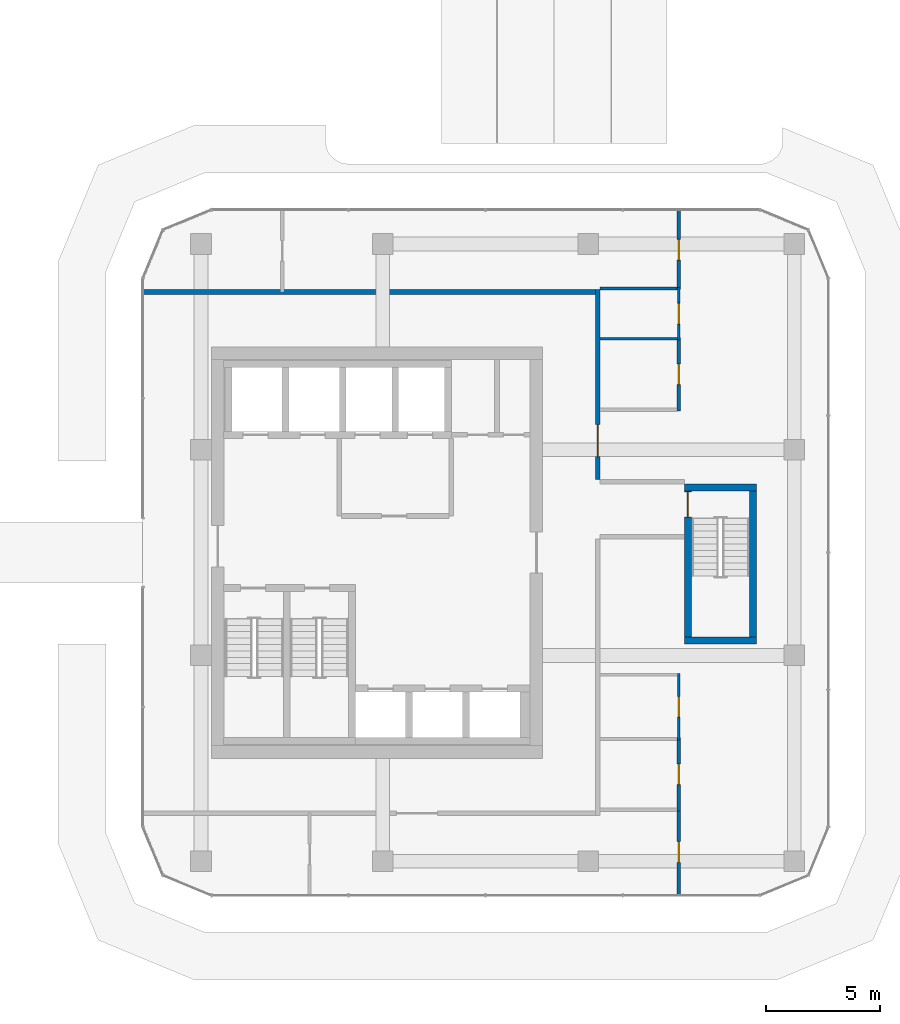
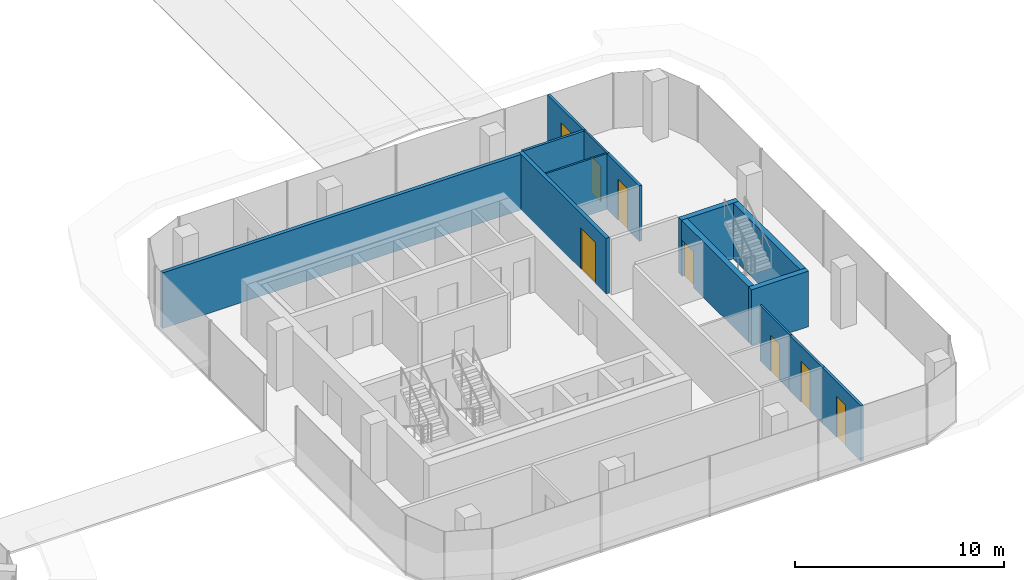
# One storey, part 19 of 24: 14 walls, 8 doors, 8 openings.
"""IFC4 building model written with IfcOpenShell, lengths in metres."""

from ifc_helpers import new_model, si_unit, direction, frame, frame_2d, origin, place, context, subcontext, project, spatial, rectangle, extrude, material, layer, layer_set, type_object, element, fill, save


model = new_model("IFC4")

# Units and contexts
model_context = context("Model", 3, precision=1e-05, world=origin(), true_north=direction((0.0, 1.0)))
body_context = subcontext(model_context, "Body", "Model", "MODEL_VIEW")
ifc_project = project(units=[si_unit("LENGTHUNIT", "METRE"), si_unit("AREAUNIT", "SQUARE_METRE"), si_unit("VOLUMEUNIT", "CUBIC_METRE"), si_unit("PLANEANGLEUNIT", "RADIAN"), si_unit("MASSUNIT", "GRAM", prefix="KILO")], contexts=[model_context])

# Site, building, storey
site_placement = place(None, origin())
site = spatial("IfcSite", under=ifc_project, at=site_placement, CompositionType="ELEMENT")
building_placement = place(site_placement, origin())
building = spatial("IfcBuilding", under=site, at=building_placement, Name="Plateau Cross Towers", CompositionType="ELEMENT")
storey_placement = place(building_placement, frame((0.0, 0.0, 30.300048828125)))
storey = spatial("IfcBuildingStorey", under=building, at=storey_placement, Name="L06", CompositionType="ELEMENT", Elevation=30.300048828125)

# Wall, opening, door
ifc_material_1 = material(Name="Concrete C60/75", Category="concrete")
ifc_layer_1 = layer(ifc_material_1, 0.300048828125)
ifc_layer_set_1 = layer_set([ifc_layer_1], Name="Concrete C60/75")
wall_type_1 = type_object("IfcWallType", Name="Core shaft wall 300", PredefinedType="SHEAR", material=ifc_layer_set_1)
wall_1_placement = place(storey_placement, frame((95.85009765625, 5.300048828125, 0.0), z_axis=(0.0, 0.0, 1.0), x_axis=(0.0, 1.0, 0.0)))
wall_1 = element("IfcWall", 1, at=wall_1_placement, inside=storey, type_object=wall_type_1, Name="B-sb3-W@L06", PredefinedType="SHEAR", context=body_context, shape_type="SweptSolid", body=[
    extrude(rectangle(XDim=6.39990234375, YDim=0.300048828125, at=frame_2d((3.199951171875, 0.0))), origin(), (0.0, 0.0, 1.0), 3.25),
])
opening_1_placement = place(wall_1_placement, frame((5.25, 0.0, 0.0)))
opening_1 = element("IfcOpeningElement", 2, at=opening_1_placement, cuts=wall_1, Name="Opening SD", PredefinedType="OPENING", context=body_context, shape_type="SweptSolid", body=[
    extrude(rectangle(XDim=1.10009765625, YDim=2.10009765625, at=frame_2d((0.550048828125, 1.050048828125))), frame((0.0, 0.159912109375, 0.0), z_axis=(0.0, -1.0, 0.0), x_axis=(1.0, 0.0, 0.0)), (0.0, 0.0, 1.0), 0.320068359375),
])
ifc_material_2 = material(Name="Steel, fire-resisting leaf", Category="steel")
door_type_1 = type_object("IfcDoorType", Name="Stair door 1100", OperationType="NOTDEFINED", PredefinedType="DOOR", material=ifc_material_2)
door_1_placement = place(opening_1_placement, origin())
door_1 = element("IfcDoor", 3, at=door_1_placement, inside=storey, type_object=door_type_1, Name="Stair door SD", OperationType="SINGLE_SWING_LEFT", OverallHeight=2.10009765625, OverallWidth=1.10009765625, PredefinedType="DOOR", context=body_context, shape_type="SweptSolid", body=[
    extrude(rectangle(XDim=1.10009765625, YDim=2.10009765625, at=frame_2d((0.550048828125, 1.050048828125))), frame((0.0, 0.02490234375, 0.0), z_axis=(0.0, -1.0, 0.0), x_axis=(1.0, 0.0, 0.0)), (0.0, 0.0, 1.0), 0.050048828125),
])
fill(opening_1, door_1)

# Walls
wall_2_placement = place(storey_placement, frame((98.699951171875, 5.300048828125, 0.0), z_axis=(0.0, 0.0, 1.0), x_axis=(0.0, 1.0, 0.0)))
element("IfcWall", 4, at=wall_2_placement, inside=storey, type_object=wall_type_1, Name="B-sb3-E@L06", PredefinedType="SHEAR", context=body_context, shape_type="SweptSolid", body=[
    extrude(rectangle(XDim=6.39990234375, YDim=0.300048828125, at=frame_2d((3.199951171875, 0.0))), origin(), (0.0, 0.0, 1.0), 3.25),
])
for number, where, z_axis, x_axis, name in (
    (5, (95.699951171875, 5.14990234375, 0.0), (0.0, 0.0, 1.0), (1.0, 0.0, 0.0), "B-sb3-S@L06"),
    (6, (95.699951171875, 11.85009765625, 0.0), (0.0, 0.0, 1.0), (1.0, 0.0, 0.0), "B-sb3-N@L06"),
):
    element("IfcWall", number, at=place(storey_placement, frame(where, z_axis=z_axis, x_axis=x_axis)), inside=storey, type_object=wall_type_1, Name=name, PredefinedType="SHEAR", context=body_context, shape_type="SweptSolid", body=[
        extrude(rectangle(XDim=3.150146484375, YDim=0.300048828125, at=frame_2d((1.5751953125, 0.0))), origin(), (0.0, 0.0, 1.0), 3.25),
    ])
ifc_material_3 = material(Name="Gypsum board on steel studs, two layers each side", Category="steel")
ifc_layer_2 = layer(ifc_material_3, 0.199951171875)
ifc_layer_set_2 = layer_set([ifc_layer_2], Name="Gypsum board on steel studs, two layers each side")
wall_type_2 = type_object("IfcWallType", Name="Corridor wall 200", PredefinedType="PARTITIONING", material=ifc_layer_set_2)
wall_3_placement = place(storey_placement, frame((72.0, 20.39990234375, 0.0), z_axis=(0.0, 0.0, 1.0), x_axis=(1.0, 0.0, 0.0)))
element("IfcWall", 7, at=wall_3_placement, inside=storey, type_object=wall_type_2, Name="Ring wall", PredefinedType="PARTITIONING", context=body_context, shape_type="SweptSolid", body=[
    extrude(rectangle(XDim=20.0, YDim=0.199951171875, at=frame_2d((10.0, 0.0))), origin(), (0.0, 0.0, 1.0), 3.25),
])

# Wall, opening, door
wall_4_placement = place(storey_placement, frame((91.89990234375, 12.199951171875, 0.0), z_axis=(0.0, 0.0, 1.0), x_axis=(0.0, 1.0, 0.0)))
wall_4 = element("IfcWall", 8, at=wall_4_placement, inside=storey, type_object=wall_type_2, Name="Ring wall", PredefinedType="PARTITIONING", context=body_context, shape_type="SweptSolid", body=[
    extrude(rectangle(XDim=8.300048828125, YDim=0.199951171875, at=frame_2d((4.14990234375, 0.0))), origin(), (0.0, 0.0, 1.0), 3.25),
])
opening_2_placement = place(wall_4_placement, frame((1.0, 0.0, 0.0)))
opening_2 = element("IfcOpeningElement", 9, at=opening_2_placement, cuts=wall_4, Name="Opening D-BE14", PredefinedType="OPENING", context=body_context, shape_type="SweptSolid", body=[
    extrude(rectangle(XDim=1.39990234375, YDim=2.39990234375, at=frame_2d((0.699951171875, 1.199951171875))), frame((0.0, 0.10986328125, 0.0), z_axis=(0.0, -1.0, 0.0), x_axis=(1.0, 0.0, 0.0)), (0.0, 0.0, 1.0), 0.219970703125),
])
ifc_material_4 = material(Name="Timber, fire-resisting leaves", Category="wood")
door_type_2 = type_object("IfcDoorType", Name="Tenant entrance double-leaf 1400x2400", OperationType="NOTDEFINED", PredefinedType="DOOR", material=ifc_material_4)
door_2_placement = place(opening_2_placement, origin())
door_2 = element("IfcDoor", 10, at=door_2_placement, inside=storey, type_object=door_type_2, Name="Door D-BE14", OperationType="DOUBLE_DOOR_SINGLE_SWING", OverallHeight=2.39990234375, OverallWidth=1.39990234375, PredefinedType="DOOR", context=body_context, shape_type="SweptSolid", body=[
    extrude(rectangle(XDim=1.39990234375, YDim=2.39990234375, at=frame_2d((0.699951171875, 1.199951171875))), frame((0.0, 0.02490234375, 0.0), z_axis=(0.0, -1.0, 0.0), x_axis=(1.0, 0.0, 0.0)), (0.0, 0.0, 1.0), 0.050048828125),
])
fill(opening_2, door_2)

ifc_material_5 = material(Name="Gypsum board on staggered steel studs, mineral wool, two layers each side", Category="steel")
ifc_layer_3 = layer(ifc_material_5, 0.139892578125)
ifc_layer_set_3 = layer_set([ifc_layer_3], Name="Gypsum board on staggered steel studs, mineral wool, two layers each side")
wall_type_3 = type_object("IfcWallType", Name="Meeting room acoustic partition 140", PredefinedType="PARTITIONING", material=ifc_layer_set_3)
wall_5_placement = place(storey_placement, frame((95.449951171875, -6.0, 0.0), z_axis=(0.0, 0.0, 1.0), x_axis=(0.0, 1.0, 0.0)))
wall_5 = element("IfcWall", 11, at=wall_5_placement, inside=storey, type_object=wall_type_3, Name="Acoustic wall", PredefinedType="PARTITIONING", context=body_context, shape_type="SweptSolid", body=[
    extrude(rectangle(XDim=3.800048828125, YDim=0.139892578125, at=frame_2d((1.89990234375, 0.0))), origin(), (0.0, 0.0, 1.0), 3.25),
])
opening_3_placement = place(wall_5_placement, frame((1.449951171875, 0.0, 0.0)))
opening_3 = element("IfcOpeningElement", 12, at=opening_3_placement, cuts=wall_5, Name="Opening D-BM9", PredefinedType="OPENING", context=body_context, shape_type="SweptSolid", body=[
    extrude(rectangle(XDim=0.89990234375, YDim=2.39990234375, at=frame_2d((0.449951171875, 1.199951171875))), frame((0.0, 0.079833984375, 0.0), z_axis=(0.0, -1.0, 0.0), x_axis=(1.0, 0.0, 0.0)), (0.0, 0.0, 1.0), 0.159912109375),
])
ifc_material_6 = material(Name="Timber leaf, full height", Category="wood")
door_type_3 = type_object("IfcDoorType", Name="Meeting room door 900x2400", OperationType="NOTDEFINED", PredefinedType="DOOR", material=ifc_material_6)
door_3_placement = place(opening_3_placement, origin())
door_3 = element("IfcDoor", 13, at=door_3_placement, inside=storey, type_object=door_type_3, Name="Door D-BM9", OperationType="SINGLE_SWING_LEFT", OverallHeight=2.39990234375, OverallWidth=0.89990234375, PredefinedType="DOOR", context=body_context, shape_type="SweptSolid", body=[
    extrude(rectangle(XDim=0.89990234375, YDim=2.39990234375, at=frame_2d((0.449951171875, 1.199951171875))), frame((0.0, 0.02490234375, 0.0), z_axis=(0.0, -1.0, 0.0), x_axis=(1.0, 0.0, 0.0)), (0.0, 0.0, 1.0), 0.050048828125),
])
fill(opening_3, door_3)

wall_6_placement = place(storey_placement, frame((95.449951171875, -2.300048828125, 0.0), z_axis=(0.0, 0.0, 1.0), x_axis=(0.0, 1.0, 0.0)))
wall_6 = element("IfcWall", 14, at=wall_6_placement, inside=storey, type_object=wall_type_3, Name="Acoustic wall", PredefinedType="PARTITIONING", context=body_context, shape_type="SweptSolid", body=[
    extrude(rectangle(XDim=3.199951171875, YDim=0.139892578125, at=frame_2d((1.60009765625, 0.0))), origin(), (0.0, 0.0, 1.0), 3.25),
])
opening_4_placement = place(wall_6_placement, frame((1.14990234375, 0.0, 0.0)))
opening_4 = element("IfcOpeningElement", 15, at=opening_4_placement, cuts=wall_6, Name="Opening D-BM9", PredefinedType="OPENING", context=body_context, shape_type="SweptSolid", body=[
    extrude(rectangle(XDim=0.89990234375, YDim=2.39990234375, at=frame_2d((0.449951171875, 1.199951171875))), frame((0.0, 0.079833984375, 0.0), z_axis=(0.0, -1.0, 0.0), x_axis=(1.0, 0.0, 0.0)), (0.0, 0.0, 1.0), 0.159912109375),
])
door_4_placement = place(opening_4_placement, origin())
door_4 = element("IfcDoor", 16, at=door_4_placement, inside=storey, type_object=door_type_3, Name="Door D-BM9", OperationType="SINGLE_SWING_LEFT", OverallHeight=2.39990234375, OverallWidth=0.89990234375, PredefinedType="DOOR", context=body_context, shape_type="SweptSolid", body=[
    extrude(rectangle(XDim=0.89990234375, YDim=2.39990234375, at=frame_2d((0.449951171875, 1.199951171875))), frame((0.0, 0.02490234375, 0.0), z_axis=(0.0, -1.0, 0.0), x_axis=(1.0, 0.0, 0.0)), (0.0, 0.0, 1.0), 0.050048828125),
])
fill(opening_4, door_4)

wall_7_placement = place(storey_placement, frame((95.449951171875, 20.5, 0.0), z_axis=(0.0, 0.0, 1.0), x_axis=(0.0, 1.0, 0.0)))
wall_7 = element("IfcWall", 17, at=wall_7_placement, inside=storey, type_object=wall_type_3, Name="Acoustic wall", PredefinedType="PARTITIONING", context=body_context, shape_type="SweptSolid", body=[
    extrude(rectangle(XDim=3.5, YDim=0.139892578125, at=frame_2d((1.75, 0.0))), origin(), (0.0, 0.0, 1.0), 3.25),
])
opening_5_placement = place(wall_7_placement, frame((1.300048828125, 0.0, 0.0)))
opening_5 = element("IfcOpeningElement", 18, at=opening_5_placement, cuts=wall_7, Name="Opening D-BM9", PredefinedType="OPENING", context=body_context, shape_type="SweptSolid", body=[
    extrude(rectangle(XDim=0.89990234375, YDim=2.39990234375, at=frame_2d((0.449951171875, 1.199951171875))), frame((0.0, 0.079833984375, 0.0), z_axis=(0.0, -1.0, 0.0), x_axis=(1.0, 0.0, 0.0)), (0.0, 0.0, 1.0), 0.159912109375),
])
door_5_placement = place(opening_5_placement, origin())
door_5 = element("IfcDoor", 19, at=door_5_placement, inside=storey, type_object=door_type_3, Name="Door D-BM9", OperationType="SINGLE_SWING_LEFT", OverallHeight=2.39990234375, OverallWidth=0.89990234375, PredefinedType="DOOR", context=body_context, shape_type="SweptSolid", body=[
    extrude(rectangle(XDim=0.89990234375, YDim=2.39990234375, at=frame_2d((0.449951171875, 1.199951171875))), frame((0.0, 0.02490234375, 0.0), z_axis=(0.0, -1.0, 0.0), x_axis=(1.0, 0.0, 0.0)), (0.0, 0.0, 1.0), 0.050048828125),
])
fill(opening_5, door_5)

# Wall
wall_8_placement = place(storey_placement, frame((92.0, 20.550048828125, 0.0), z_axis=(0.0, 0.0, 1.0), x_axis=(1.0, 0.0, 0.0)))
element("IfcWall", 20, at=wall_8_placement, inside=storey, type_object=wall_type_3, Name="Acoustic wall", PredefinedType="PARTITIONING", context=body_context, shape_type="SweptSolid", body=[
    extrude(rectangle(XDim=3.3798828125, YDim=0.139892578125, at=frame_2d((1.68994140625, 0.0))), origin(), (0.0, 0.0, 1.0), 3.25),
])

# Wall, opening, door
wall_9_placement = place(storey_placement, frame((95.449951171875, 15.199951171875, 0.0), z_axis=(0.0, 0.0, 1.0), x_axis=(0.0, 1.0, 0.0)))
wall_9 = element("IfcWall", 21, at=wall_9_placement, inside=storey, type_object=wall_type_3, Name="Acoustic wall", PredefinedType="PARTITIONING", context=body_context, shape_type="SweptSolid", body=[
    extrude(rectangle(XDim=3.199951171875, YDim=0.139892578125, at=frame_2d((1.60009765625, 0.0))), origin(), (0.0, 0.0, 1.0), 3.25),
])
opening_6_placement = place(wall_9_placement, frame((1.14990234375, 0.0, 0.0)))
opening_6 = element("IfcOpeningElement", 22, at=opening_6_placement, cuts=wall_9, Name="Opening D-BM9", PredefinedType="OPENING", context=body_context, shape_type="SweptSolid", body=[
    extrude(rectangle(XDim=0.89990234375, YDim=2.39990234375, at=frame_2d((0.449951171875, 1.199951171875))), frame((0.0, 0.079833984375, 0.0), z_axis=(0.0, -1.0, 0.0), x_axis=(1.0, 0.0, 0.0)), (0.0, 0.0, 1.0), 0.159912109375),
])
door_6_placement = place(opening_6_placement, origin())
door_6 = element("IfcDoor", 23, at=door_6_placement, inside=storey, type_object=door_type_3, Name="Door D-BM9", OperationType="SINGLE_SWING_LEFT", OverallHeight=2.39990234375, OverallWidth=0.89990234375, PredefinedType="DOOR", context=body_context, shape_type="SweptSolid", body=[
    extrude(rectangle(XDim=0.89990234375, YDim=2.39990234375, at=frame_2d((0.449951171875, 1.199951171875))), frame((0.0, 0.02490234375, 0.0), z_axis=(0.0, -1.0, 0.0), x_axis=(1.0, 0.0, 0.0)), (0.0, 0.0, 1.0), 0.050048828125),
])
fill(opening_6, door_6)

ifc_material_7 = material(Name="Gypsum board on steel studs", Category="steel")
ifc_layer_4 = layer(ifc_material_7, 0.10009765625)
ifc_layer_set_4 = layer_set([ifc_layer_4], Name="Gypsum board on steel studs")
wall_type_4 = type_object("IfcWallType", Name="Office partition 100", PredefinedType="PARTITIONING", material=ifc_layer_set_4)
wall_10_placement = place(storey_placement, frame((95.449951171875, 0.800048828125, 0.0), z_axis=(0.0, 0.0, 1.0), x_axis=(0.0, 1.0, 0.0)))
wall_10 = element("IfcWall", 24, at=wall_10_placement, inside=storey, type_object=wall_type_4, Name="Part wall", PredefinedType="PARTITIONING", context=body_context, shape_type="SweptSolid", body=[
    extrude(rectangle(XDim=2.89990234375, YDim=0.10009765625, at=frame_2d((1.449951171875, 0.0))), origin(), (0.0, 0.0, 1.0), 3.25),
])
opening_7_placement = place(wall_10_placement, frame((1.0, 0.0, 0.0)))
opening_7 = element("IfcOpeningElement", 25, at=opening_7_placement, cuts=wall_10, Name="Opening D-BR9", PredefinedType="OPENING", context=body_context, shape_type="SweptSolid", body=[
    extrude(rectangle(XDim=0.89990234375, YDim=2.10009765625, at=frame_2d((0.449951171875, 1.050048828125))), frame((0.0, 0.06005859375, 0.0), z_axis=(0.0, -1.0, 0.0), x_axis=(1.0, 0.0, 0.0)), (0.0, 0.0, 1.0), 0.1201171875),
])
ifc_material_8 = material(Name="Timber leaf", Category="wood")
door_type_4 = type_object("IfcDoorType", Name="Office room door 900", OperationType="NOTDEFINED", PredefinedType="DOOR", material=ifc_material_8)
door_7_placement = place(opening_7_placement, origin())
door_7 = element("IfcDoor", 26, at=door_7_placement, inside=storey, type_object=door_type_4, Name="Door D-BR9", OperationType="SINGLE_SWING_LEFT", OverallHeight=2.10009765625, OverallWidth=0.89990234375, PredefinedType="DOOR", context=body_context, shape_type="SweptSolid", body=[
    extrude(rectangle(XDim=0.89990234375, YDim=2.10009765625, at=frame_2d((0.449951171875, 1.050048828125))), frame((0.0, 0.02490234375, 0.0), z_axis=(0.0, -1.0, 0.0), x_axis=(1.0, 0.0, 0.0)), (0.0, 0.0, 1.0), 0.050048828125),
])
fill(opening_7, door_7)

wall_11_placement = place(storey_placement, frame((95.449951171875, 18.300048828125, 0.0), z_axis=(0.0, 0.0, 1.0), x_axis=(0.0, 1.0, 0.0)))
wall_11 = element("IfcWall", 27, at=wall_11_placement, inside=storey, type_object=wall_type_4, Name="Part wall", PredefinedType="PARTITIONING", context=body_context, shape_type="SweptSolid", body=[
    extrude(rectangle(XDim=2.300048828125, YDim=0.10009765625, at=frame_2d((1.14990234375, 0.0))), origin(), (0.0, 0.0, 1.0), 3.25),
])
opening_8_placement = place(wall_11_placement, frame((0.699951171875, 0.0, 0.0)))
opening_8 = element("IfcOpeningElement", 28, at=opening_8_placement, cuts=wall_11, Name="Opening D-BR9", PredefinedType="OPENING", context=body_context, shape_type="SweptSolid", body=[
    extrude(rectangle(XDim=0.89990234375, YDim=2.10009765625, at=frame_2d((0.449951171875, 1.050048828125))), frame((0.0, 0.06005859375, 0.0), z_axis=(0.0, -1.0, 0.0), x_axis=(1.0, 0.0, 0.0)), (0.0, 0.0, 1.0), 0.1201171875),
])
door_8_placement = place(opening_8_placement, origin())
door_8 = element("IfcDoor", 29, at=door_8_placement, inside=storey, type_object=door_type_4, Name="Door D-BR9", OperationType="SINGLE_SWING_LEFT", OverallHeight=2.10009765625, OverallWidth=0.89990234375, PredefinedType="DOOR", context=body_context, shape_type="SweptSolid", body=[
    extrude(rectangle(XDim=0.89990234375, YDim=2.10009765625, at=frame_2d((0.449951171875, 1.050048828125))), frame((0.0, 0.02490234375, 0.0), z_axis=(0.0, -1.0, 0.0), x_axis=(1.0, 0.0, 0.0)), (0.0, 0.0, 1.0), 0.050048828125),
])
fill(opening_8, door_8)

# Wall
wall_12_placement = place(storey_placement, frame((92.0, 18.35009765625, 0.0), z_axis=(0.0, 0.0, 1.0), x_axis=(1.0, 0.0, 0.0)))
element("IfcWall", 30, at=wall_12_placement, inside=storey, type_object=wall_type_4, Name="Part wall", PredefinedType="PARTITIONING", context=body_context, shape_type="SweptSolid", body=[
    extrude(rectangle(XDim=3.39990234375, YDim=0.10009765625, at=frame_2d((1.699951171875, 0.0))), origin(), (0.0, 0.0, 1.0), 3.25),
])

save(model, "model.ifc")
